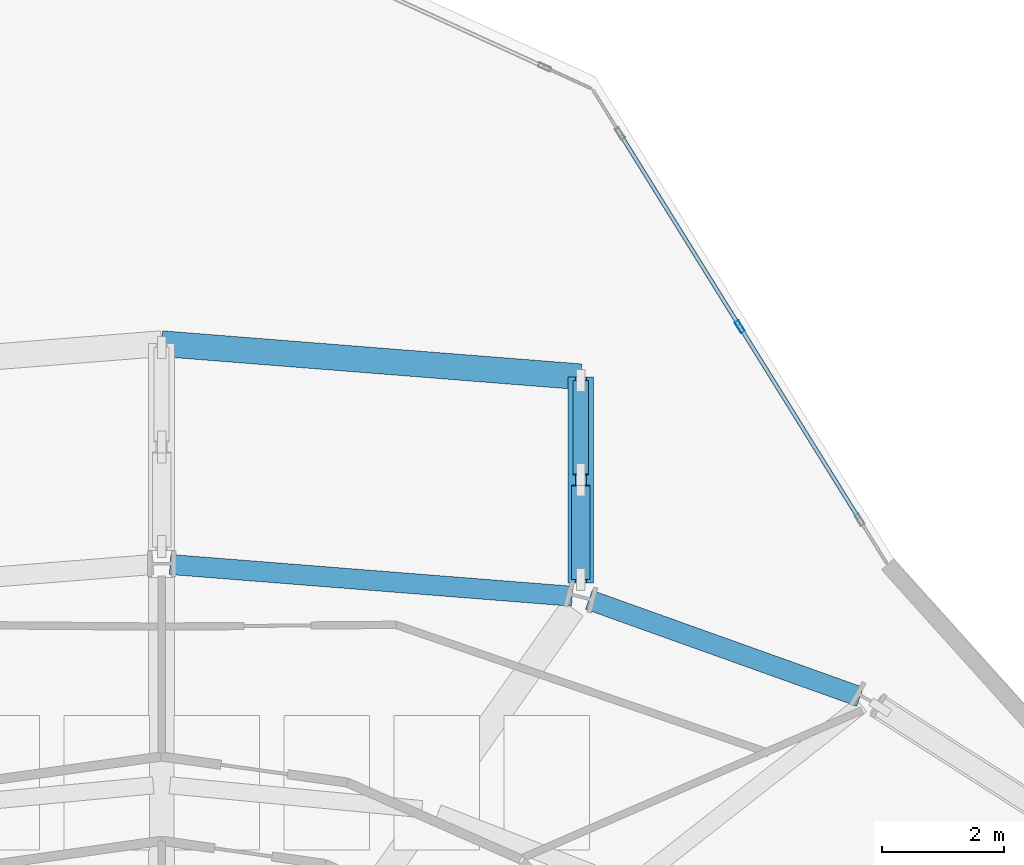
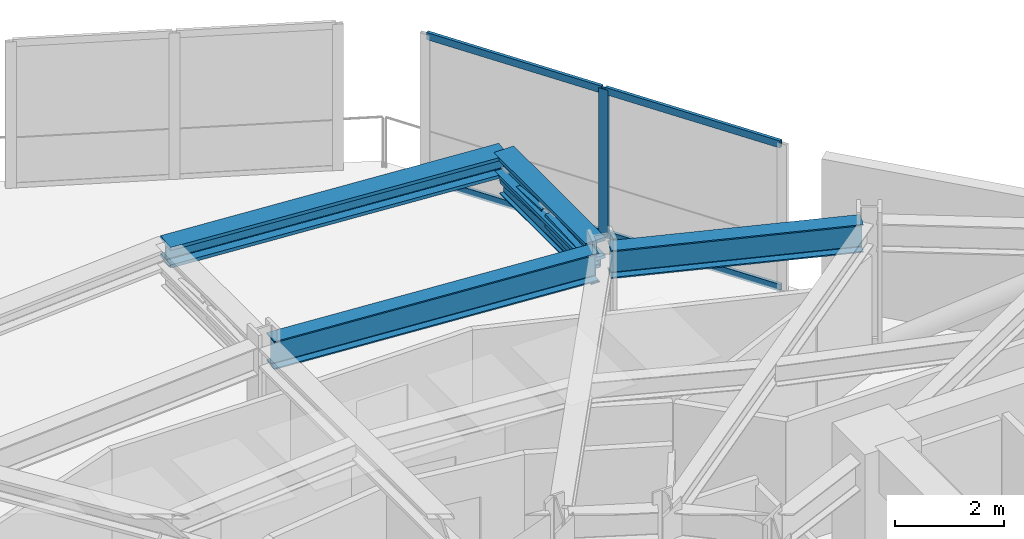
# One storey, part 14 of 25: 7 members, 5 beams, 1 element without a shape of its own.
"""IFC4 building model written with IfcOpenShell, lengths in metres."""

from ifc_helpers import new_model, si_unit, direction, frame, origin, origin_2d, place, context, subcontext, project, spatial, hollow_rectangle, i_section, extrude, material, layer, layer_set, material_profile, profile_set, type_object, element, aggregate, save


model = new_model("IFC4")

# Units and contexts
model_context = context("Model", 3, precision=1e-05, world=origin(), true_north=direction((0.0, 1.0)))
body_context = subcontext(model_context, "Body", "Model", "MODEL_VIEW")
ifc_project = project(units=[si_unit("LENGTHUNIT", "METRE"), si_unit("AREAUNIT", "SQUARE_METRE"), si_unit("VOLUMEUNIT", "CUBIC_METRE"), si_unit("PLANEANGLEUNIT", "RADIAN"), si_unit("MASSUNIT", "GRAM", prefix="KILO")], contexts=[model_context])

# Site, building, storey
site_placement = place(None, origin())
site = spatial("IfcSite", under=ifc_project, at=site_placement, CompositionType="ELEMENT")
building_placement = place(site_placement, origin())
building = spatial("IfcBuilding", under=site, at=building_placement, Name="Solvane Sanctuary Tower", CompositionType="ELEMENT")
storey_placement = place(building_placement, frame((0.0, 0.0, 238.800048828125)))
storey = spatial("IfcBuildingStorey", under=building, at=storey_placement, Name="L73", CompositionType="ELEMENT", Elevation=238.800048828125)

# Beams
ifc_material_1 = material(Name="Steel ASTM A913 Grade 65", Category="steel")
ifc_material_profile_1 = material_profile(ifc_material_1, i_section(OverallWidth=0.422119140625, OverallDepth=0.465087890625, WebThickness=0.044921875, FlangeThickness=0.072509765625, FilletRadius=0.02490234375, at=origin_2d()), Name="W14X398")
ifc_profile_set_1 = profile_set([ifc_material_profile_1], Name="Steel ASTM A913 Grade 65")
beam_type_1 = type_object("IfcBeamType", Name="Beam B-CANT-CH W14X398", PredefinedType="BEAM", material=ifc_profile_set_1)
beam_1_placement = place(storey_placement, frame((38.856201171875, 38.36669921875, 3.08544921875), z_axis=(0.0, 1.0, 0.0), x_axis=(-1.0, 0.0, 0.0)))
element("IfcBeam", 1, at=beam_1_placement, inside=storey, type_object=beam_type_1, Name="L73 Sky-Dining Truss Top Chord C03", PredefinedType="BEAM", context=body_context, shape_type="SweptSolid", body=[
    extrude(i_section(OverallWidth=0.422119140625, OverallDepth=0.465087890625, WebThickness=0.044921875, FlangeThickness=0.072509765625, FilletRadius=0.02490234375, at=origin_2d()), origin(), (0.0, 0.0, 1.0), 3.37158203125),
])
beam_2_placement = place(storey_placement, frame((32.0, 42.280029296875, 3.08544921875), z_axis=(0.996892795984, -0.078770256536, 0.0), x_axis=(0.078770256536, 0.996892795984, 0.0)))
element("IfcBeam", 2, at=beam_2_placement, inside=storey, type_object=beam_type_1, Name="L73 Sky-Dining Transverse Tie Beam 2", PredefinedType="BEAM", context=body_context, shape_type="SweptSolid", body=[
    extrude(i_section(OverallWidth=0.422119140625, OverallDepth=0.465087890625, WebThickness=0.044921875, FlangeThickness=0.072509765625, FilletRadius=0.02490234375, at=origin_2d()), origin(), (0.0, 0.0, 1.0), 6.877685546875),
])
ifc_material_2 = material(Name="Steel ASTM A992 Grade 50", Category="steel")
ifc_material_profile_2 = material_profile(ifc_material_2, i_section(OverallWidth=0.180908203125, OverallDepth=0.4169921875, WebThickness=0.010986328125, FlangeThickness=0.018310546875, FilletRadius=0.012939453125, at=origin_2d()), Name="W16X57")
ifc_profile_set_2 = profile_set([ifc_material_profile_2], Name="Steel ASTM A992 Grade 50")
beam_type_2 = type_object("IfcBeamType", Name="Beam B-ROOF-BM W16X57", PredefinedType="BEAM", material=ifc_profile_set_2)
beam_3_placement = place(storey_placement, frame((38.856201171875, 38.36669921875, 2.56005859375), z_axis=(0.0, 1.0, 0.0), x_axis=(-1.0, 0.0, 0.0)))
element("IfcBeam", 3, at=beam_3_placement, inside=storey, type_object=beam_type_2, Name="L73 Sky-Dining Truss Bottom Chord C03", PredefinedType="BEAM", context=body_context, shape_type="SweptSolid", body=[
    extrude(i_section(OverallWidth=0.180908203125, OverallDepth=0.4169921875, WebThickness=0.010986328125, FlangeThickness=0.018310546875, FilletRadius=0.012939453125, at=origin_2d()), origin(), (0.0, 0.0, 1.0), 3.37158203125),
])
ifc_material_profile_3 = material_profile(ifc_material_2, i_section(OverallWidth=0.327880859375, OverallDepth=0.6279296875, WebThickness=0.0166015625, FlangeThickness=0.027587890625, FilletRadius=0.01611328125, at=origin_2d()), Name="W24X146")
ifc_profile_set_3 = profile_set([ifc_material_profile_3], Name="Steel ASTM A992 Grade 50")
beam_type_3 = type_object("IfcBeamType", Name="Beam B-SPAND-Z3 W24X146", PredefinedType="SPANDREL", material=ifc_profile_set_3)
beam_4_placement = place(storey_placement, frame((32.1396484375, 38.6689453125, 3.00390625), z_axis=(0.996894556567, -0.078747971951, 0.0), x_axis=(0.078747971951, 0.996894556567, 0.0)))
element("IfcBeam", 4, at=beam_4_placement, inside=storey, type_object=beam_type_3, Name="L73 Perimeter Spandrel Beam TC04-TC03", PredefinedType="SPANDREL", context=body_context, shape_type="SweptSolid", body=[
    extrude(i_section(OverallWidth=0.327880859375, OverallDepth=0.6279296875, WebThickness=0.0166015625, FlangeThickness=0.027587890625, FilletRadius=0.01611328125, at=origin_2d()), origin(), (0.0, 0.0, 1.0), 6.597412109375),
])
beam_5_placement = place(storey_placement, frame((38.98779296875, 38.091064453125, 3.00390625), z_axis=(0.941570600413, -0.336815683184, 0.0), x_axis=(0.336815683184, 0.941570600413, 0.0)))
element("IfcBeam", 5, at=beam_5_placement, inside=storey, type_object=beam_type_3, Name="L73 Perimeter Spandrel Beam TC03-TC02", PredefinedType="SPANDREL", context=body_context, shape_type="SweptSolid", body=[
    extrude(i_section(OverallWidth=0.327880859375, OverallDepth=0.6279296875, WebThickness=0.0166015625, FlangeThickness=0.027587890625, FilletRadius=0.01611328125, at=origin_2d()), origin(), (0.0, 0.0, 1.0), 4.710693359375),
])

# Members
ifc_material_profile_4 = material_profile(ifc_material_1, hollow_rectangle(XDim=0.300048828125, YDim=0.300048828125, WallThickness=0.012451171875, at=origin_2d()), Name="HSS300X300X12.5")
ifc_profile_set_4 = profile_set([ifc_material_profile_4], Name="Steel ASTM A913 Grade 65")
member_type_1 = type_object("IfcMemberType", Name="Member M-CANT-DIAG HSS300X300X12.5", PredefinedType="STRUT", material=ifc_profile_set_4)
member_1_placement = place(storey_placement, frame((38.856201171875, 38.431640625, 2.768798828125), z_axis=(0.0, 0.998643226511, 0.05207404482), x_axis=(-1.0, 0.0, 0.0)))
element("IfcMember", 6, at=member_1_placement, inside=storey, type_object=member_type_1, Name="L73 Sky-Dining Truss Diagonal C03-P1", PredefinedType="STRUT", context=body_context, shape_type="SweptSolid", body=[
    extrude(hollow_rectangle(XDim=0.300048828125, YDim=0.300048828125, WallThickness=0.012451171875, at=origin_2d()), origin(), (0.0, 0.0, 1.0), 1.533203125),
])
ifc_material_profile_5 = material_profile(ifc_material_1, hollow_rectangle(XDim=0.25, YDim=0.25, WallThickness=0.012451171875, at=origin_2d()), Name="HSS250X250X12.5")
ifc_profile_set_5 = profile_set([ifc_material_profile_5], Name="Steel ASTM A913 Grade 65")
member_type_2 = type_object("IfcMemberType", Name="Member M-CANT-POST HSS250X250X12.5", PredefinedType="POST", material=ifc_profile_set_5)
member_2_placement = place(storey_placement, frame((38.856201171875, 40.142333984375, 2.8486328125), z_axis=(0.0, 0.998643226511, -0.05207404482), x_axis=(-1.0, 0.0, 0.0)))
element("IfcMember", 7, at=member_2_placement, inside=storey, type_object=member_type_2, Name="L73 Sky-Dining Truss Web Post C03-P1", PredefinedType="POST", context=body_context, shape_type="SweptSolid", body=[
    extrude(hollow_rectangle(XDim=0.25, YDim=0.25, WallThickness=0.012451171875, at=origin_2d()), origin(), (0.0, 0.0, 1.0), 1.533203125),
])

# Curtain wall, members
ifc_material_3 = material(Name="Anodised Aluminium 6063-T6", Category="aluminium")
ifc_layer = layer(ifc_material_3, 0.18994140625, Name="Anodised Aluminium 6063-T6")
ifc_layer_set = layer_set([ifc_layer], Name="Anodised Aluminium 6063-T6")
curtain_wall_type = type_object("IfcCurtainWallType", Name="Curtain Wall CW-OPER", PredefinedType="NOTDEFINED", material=ifc_layer_set)
curtain_wall_placement = place(storey_placement, origin())
curtain_wall = element("IfcCurtainWall", 8, at=curtain_wall_placement, inside=storey, type_object=curtain_wall_type, Name="L73 CW-OPER Facade Run 04", PredefinedType="NOTDEFINED")
ifc_material_profile_6 = material_profile(ifc_material_3, hollow_rectangle(XDim=0.074951171875, YDim=0.199951171875, WallThickness=0.00390625, at=origin_2d()), Name="ALU200X75X4")
ifc_profile_set_6 = profile_set([ifc_material_profile_6], Name="Anodised Aluminium 6063-T6")
member_type_3 = type_object("IfcMemberType", Name="Member M-CW-MUL-1 ALU200X75X4", PredefinedType="MULLION", material=ifc_profile_set_6)
member_3_placement = place(storey_placement, frame((41.45654296875, 42.558349609375, 0.0), z_axis=(0.0, 0.0, 1.0), x_axis=(-0.849622273102, -0.527391688453, 0.0)))
member_3 = element("IfcMember", 9, at=member_3_placement, type_object=member_type_3, Name="CW-OPER mullion 2", PredefinedType="MULLION", context=body_context, shape_type="SweptSolid", body=[
    extrude(hollow_rectangle(XDim=0.074951171875, YDim=0.199951171875, WallThickness=0.00390625, at=origin_2d()), origin(), (0.0, 0.0, 1.0), 3.280029296875),
])
ifc_material_profile_7 = material_profile(ifc_material_3, hollow_rectangle(XDim=0.06494140625, YDim=0.159912109375, WallThickness=0.00341796875, at=origin_2d()), Name="ALU160X65X3.5")
ifc_profile_set_7 = profile_set([ifc_material_profile_7], Name="Anodised Aluminium 6063-T6")
member_type_4 = type_object("IfcMemberType", Name="Member M-CW-TRN-1 ALU160X65X3.5", PredefinedType="USERDEFINED", material=ifc_profile_set_7)
member_4_placement = place(storey_placement, frame((43.39794921875, 39.430419921875, 0.032470703125), z_axis=(-0.527364529612, 0.849639130989, 0.0), x_axis=(-0.849639130989, -0.527364529612, 0.0)))
member_4 = element("IfcMember", 10, at=member_4_placement, type_object=member_type_4, Name="CW-OPER transom 1.1", ObjectType="TRANSOM", PredefinedType="USERDEFINED", context=body_context, shape_type="SweptSolid", body=[
    extrude(hollow_rectangle(XDim=0.06494140625, YDim=0.159912109375, WallThickness=0.00341796875, at=origin_2d()), origin(), (0.0, 0.0, 1.0), 3.643798828125),
])
member_5_placement = place(storey_placement, frame((43.39794921875, 39.430419921875, 3.24755859375), z_axis=(-0.527364529612, 0.849639130989, 0.0), x_axis=(-0.849639130989, -0.527364529612, 0.0)))
member_5 = element("IfcMember", 11, at=member_5_placement, type_object=member_type_4, Name="CW-OPER transom 1.2", ObjectType="TRANSOM", PredefinedType="USERDEFINED", context=body_context, shape_type="SweptSolid", body=[
    extrude(hollow_rectangle(XDim=0.06494140625, YDim=0.159912109375, WallThickness=0.00341796875, at=origin_2d()), origin(), (0.0, 0.0, 1.0), 3.643798828125),
])
member_6_placement = place(storey_placement, frame((41.436767578125, 42.590087890625, 0.032470703125), z_axis=(-0.527364529612, 0.849639130989, 0.0), x_axis=(-0.849639130989, -0.527364529612, 0.0)))
member_6 = element("IfcMember", 12, at=member_6_placement, type_object=member_type_4, Name="CW-OPER transom 2.1", ObjectType="TRANSOM", PredefinedType="USERDEFINED", context=body_context, shape_type="SweptSolid", body=[
    extrude(hollow_rectangle(XDim=0.06494140625, YDim=0.159912109375, WallThickness=0.00341796875, at=origin_2d()), origin(), (0.0, 0.0, 1.0), 3.643798828125),
])
member_7_placement = place(storey_placement, frame((41.436767578125, 42.590087890625, 3.24755859375), z_axis=(-0.527364529612, 0.849639130989, 0.0), x_axis=(-0.849639130989, -0.527364529612, 0.0)))
member_7 = element("IfcMember", 13, at=member_7_placement, type_object=member_type_4, Name="CW-OPER transom 2.2", ObjectType="TRANSOM", PredefinedType="USERDEFINED", context=body_context, shape_type="SweptSolid", body=[
    extrude(hollow_rectangle(XDim=0.06494140625, YDim=0.159912109375, WallThickness=0.00341796875, at=origin_2d()), origin(), (0.0, 0.0, 1.0), 3.643798828125),
])
aggregate(curtain_wall, [member_3, member_4, member_5, member_6, member_7])

save(model, "model.ifc")
